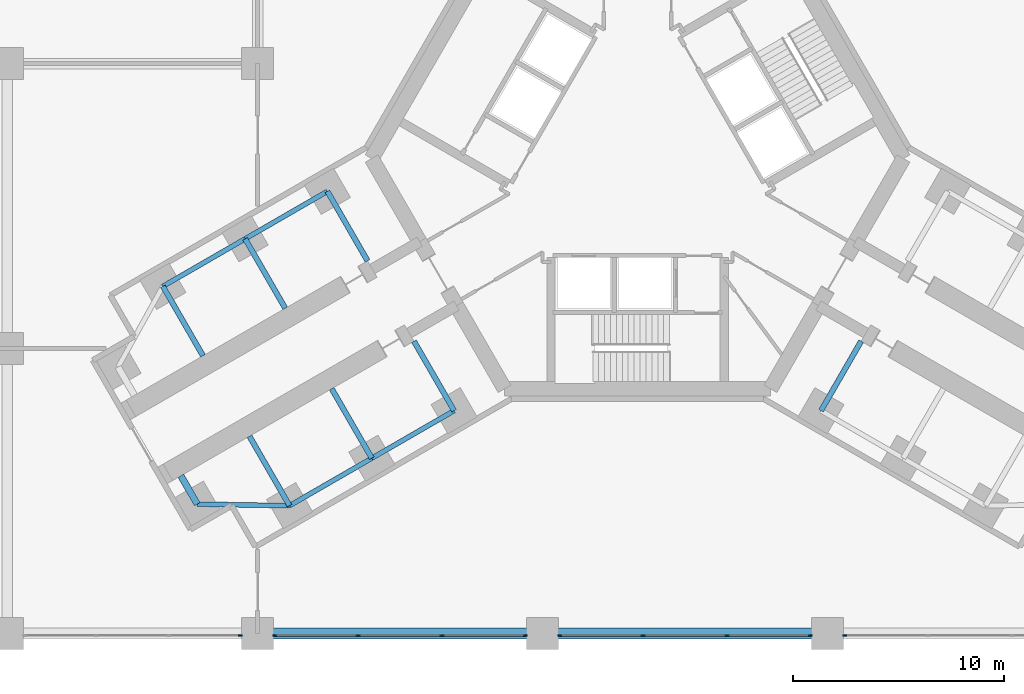
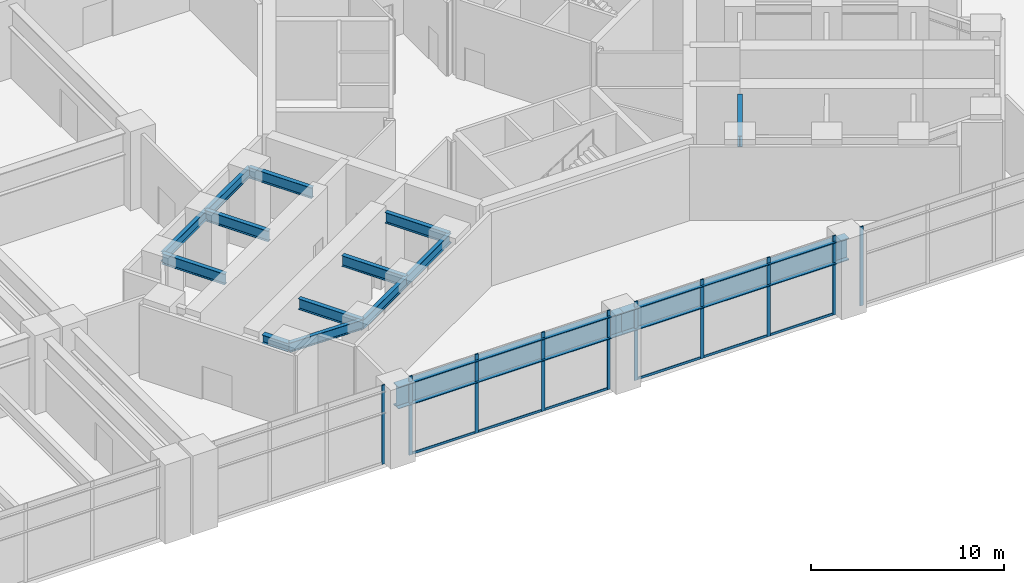
# One storey, part 9 of 32: 16 members, 15 beams, 4 elements without a shape of their own.
"""IFC4 building model written with IfcOpenShell, lengths in metres."""

from ifc_helpers import new_model, si_unit, direction, frame, origin, origin_2d, place, context, subcontext, project, spatial, rectangle, i_section, extrude, material, material_profile, profile_set, type_object, element, aggregate, save


model = new_model("IFC4")

# Units and contexts
model_context = context("Model", 3, precision=1e-05, world=origin(), true_north=direction((0.0, 1.0)))
body_context = subcontext(model_context, "Body", "Model", "MODEL_VIEW")
ifc_project = project(units=[si_unit("LENGTHUNIT", "METRE"), si_unit("AREAUNIT", "SQUARE_METRE"), si_unit("VOLUMEUNIT", "CUBIC_METRE"), si_unit("PLANEANGLEUNIT", "RADIAN"), si_unit("MASSUNIT", "GRAM", prefix="KILO")], contexts=[model_context])

# Site, building, storey
site_placement = place(None, origin())
site = spatial("IfcSite", under=ifc_project, at=site_placement, CompositionType="ELEMENT")
building_placement = place(site_placement, origin())
building = spatial("IfcBuilding", under=site, at=building_placement, Name="Upepo Twin Towers", CompositionType="ELEMENT")
storey_placement = place(building_placement, frame((0.0, 0.0, 5.5)))
storey = spatial("IfcBuildingStorey", under=building, at=storey_placement, Name="L01", CompositionType="ELEMENT", Elevation=5.5)

# Beams
ifc_material_1 = material(Name="Steel S355", Category="steel")
ifc_material_profile_1 = material_profile(ifc_material_1, i_section(OverallWidth=0.5, OverallDepth=1.39990234375, WebThickness=0.02490234375, FlangeThickness=0.050048828125, FilletRadius=0.008056640625, at=origin_2d()), Name="PG 1400x500x25x50")
ifc_profile_set_1 = profile_set([ifc_material_profile_1], Name="Steel S355")
beam_type_1 = type_object("IfcBeamType", Name="Beam PG 1400x500x25x50", PredefinedType="BEAM", material=ifc_profile_set_1)
for number, where, z_axis, x_axis, name in (
    (1, (40.5, -40.5, 3.949951171875), (1.0, 0.0, 0.0), (0.0, 1.0, 0.0), "Podium girder A/6-7"),
    (2, (54.0, -40.5, 3.949951171875), (1.0, 0.0, 0.0), (0.0, 1.0, 0.0), "Podium girder A/7-8"),
):
    element("IfcBeam", number, at=place(storey_placement, frame(where, z_axis=z_axis, x_axis=x_axis)), inside=storey, type_object=beam_type_1, Name=name, PredefinedType="BEAM", context=body_context, shape_type="SweptSolid", body=[
        extrude(i_section(OverallWidth=0.5, OverallDepth=1.39990234375, WebThickness=0.02490234375, FlangeThickness=0.050048828125, FilletRadius=0.008056640625, at=origin_2d()), origin(), (0.0, 0.0, 1.0), 13.5),
    ])
ifc_material_2 = material(Name="Steel S355", Category="steel")
ifc_material_profile_2 = material_profile(ifc_material_2, i_section(OverallWidth=0.31201171875, OverallDepth=0.54345703125, WebThickness=0.0126953125, FlangeThickness=0.020263671875, FilletRadius=0.0126953125, at=origin_2d()), Name="UB 533x312x150")
ifc_profile_set_2 = profile_set([ifc_material_profile_2], Name="Steel S355")
beam_type_2 = type_object("IfcBeamType", Name="Beam UB 533x312x150", PredefinedType="BEAM", material=ifc_profile_set_2)
beam_1_placement = place(storey_placement, frame((37.641845703125, -34.37255859375, 4.378173828125), z_axis=(-0.499967891604, 0.866043940782, 0.0), x_axis=(-0.866043940782, -0.499967891604, 0.0)))
element("IfcBeam", 3, at=beam_1_placement, inside=storey, type_object=beam_type_2, Name="T2 nose beam BL", PredefinedType="BEAM", context=body_context, shape_type="SweptSolid", body=[
    extrude(i_section(OverallWidth=0.31201171875, OverallDepth=0.54345703125, WebThickness=0.0126953125, FlangeThickness=0.020263671875, FilletRadius=0.0126953125, at=origin_2d()), origin(), (0.0, 0.0, 1.0), 1.5498046875),
])
ifc_material_3 = material(Name="Steel S355", Category="steel")
ifc_material_profile_3 = material_profile(ifc_material_3, i_section(OverallWidth=0.228271484375, OverallDepth=0.607666015625, WebThickness=0.010986328125, FlangeThickness=0.017333984375, FilletRadius=0.0126953125, at=origin_2d()), Name="UB 610x229x113")
ifc_profile_set_3 = profile_set([ifc_material_profile_3], Name="Steel S355")
beam_type_3 = type_object("IfcBeamType", Name="Beam UB 610x229x113", PredefinedType="BEAM", material=ifc_profile_set_3)
beam_2_placement = place(storey_placement, frame((49.80859375, -29.946044921875, 4.34619140625), z_axis=(-0.866017533419, -0.500013631625, 0.0), x_axis=(0.500013631625, -0.866017533419, 0.0)))
element("IfcBeam", 4, at=beam_2_placement, inside=storey, type_object=beam_type_3, Name="T2 edge beam BL 13.5-18.0", PredefinedType="BEAM", context=body_context, shape_type="SweptSolid", body=[
    extrude(i_section(OverallWidth=0.228271484375, OverallDepth=0.607666015625, WebThickness=0.010986328125, FlangeThickness=0.017333984375, FilletRadius=0.0126953125, at=origin_2d()), origin(), (0.0, 0.0, 1.0), 4.499755859375),
])
beam_3_placement = place(storey_placement, frame((45.91162109375, -32.196044921875, 4.34619140625), z_axis=(-0.866031096941, -0.499990139034, 0.0), x_axis=(0.499990139034, -0.866031096941, 0.0)))
element("IfcBeam", 5, at=beam_3_placement, inside=storey, type_object=beam_type_3, Name="T2 edge beam BL 18.0-22.5", PredefinedType="BEAM", context=body_context, shape_type="SweptSolid", body=[
    extrude(i_section(OverallWidth=0.228271484375, OverallDepth=0.607666015625, WebThickness=0.010986328125, FlangeThickness=0.017333984375, FilletRadius=0.0126953125, at=origin_2d()), origin(), (0.0, 0.0, 1.0), 4.5),
])
beam_4_placement = place(storey_placement, frame((42.014404296875, -34.446044921875, 4.34619140625), z_axis=(-0.999858804832, 0.016803880528, 0.0), x_axis=(-0.016803880528, -0.999858804832, 0.0)))
element("IfcBeam", 6, at=beam_4_placement, inside=storey, type_object=beam_type_3, Name="T2 nose edge beam BL", PredefinedType="BEAM", context=body_context, shape_type="SweptSolid", body=[
    extrude(i_section(OverallWidth=0.228271484375, OverallDepth=0.607666015625, WebThickness=0.010986328125, FlangeThickness=0.017333984375, FilletRadius=0.0126953125, at=origin_2d()), origin(), (0.0, 0.0, 1.0), 4.373291015625),
])
beam_5_placement = place(storey_placement, frame((43.80859375, -19.553955078125, 4.34619140625), z_axis=(-0.866017533419, -0.500013631625, 0.0), x_axis=(0.500013631625, -0.866017533419, 0.0)))
element("IfcBeam", 7, at=beam_5_placement, inside=storey, type_object=beam_type_3, Name="T2 edge beam BR 13.5-18.0", PredefinedType="BEAM", context=body_context, shape_type="SweptSolid", body=[
    extrude(i_section(OverallWidth=0.228271484375, OverallDepth=0.607666015625, WebThickness=0.010986328125, FlangeThickness=0.017333984375, FilletRadius=0.0126953125, at=origin_2d()), origin(), (0.0, 0.0, 1.0), 4.499755859375),
])
beam_6_placement = place(storey_placement, frame((39.91162109375, -21.803955078125, 4.34619140625), z_axis=(-0.866031096941, -0.499990139034, 0.0), x_axis=(0.499990139034, -0.866031096941, 0.0)))
element("IfcBeam", 8, at=beam_6_placement, inside=storey, type_object=beam_type_3, Name="T2 edge beam BR 18.0-22.5", PredefinedType="BEAM", context=body_context, shape_type="SweptSolid", body=[
    extrude(i_section(OverallWidth=0.228271484375, OverallDepth=0.607666015625, WebThickness=0.010986328125, FlangeThickness=0.017333984375, FilletRadius=0.0126953125, at=origin_2d()), origin(), (0.0, 0.0, 1.0), 4.5),
])
ifc_material_4 = material(Name="Steel S355", Category="steel")
ifc_material_profile_4 = material_profile(ifc_material_4, i_section(OverallWidth=0.253662109375, OverallDepth=0.68359375, WebThickness=0.012451171875, FlangeThickness=0.01904296875, FilletRadius=0.01513671875, at=origin_2d()), Name="UB 686x254x140")
ifc_profile_set_4 = profile_set([ifc_material_profile_4], Name="Steel S355")
beam_type_4 = type_object("IfcBeamType", Name="Beam UB 686x254x140", PredefinedType="BEAM", material=ifc_profile_set_4)
beam_7_placement = place(storey_placement, frame((49.80859375, -29.946044921875, 4.308349609375), z_axis=(-0.499994975061, 0.866028304915, 0.0), x_axis=(-0.866028304915, -0.499994975061, 0.0)))
element("IfcBeam", 9, at=beam_7_placement, inside=storey, type_object=beam_type_4, Name="T2 girder BL at 13.5", PredefinedType="BEAM", context=body_context, shape_type="SweptSolid", body=[
    extrude(i_section(OverallWidth=0.253662109375, OverallDepth=0.68359375, WebThickness=0.012451171875, FlangeThickness=0.01904296875, FilletRadius=0.01513671875, at=origin_2d()), origin(), (0.0, 0.0, 1.0), 3.7998046875),
])
beam_8_placement = place(storey_placement, frame((45.91162109375, -32.196044921875, 4.308349609375), z_axis=(-0.500043160704, 0.866000483506, 0.0), x_axis=(-0.866000483506, -0.500043160704, 0.0)))
element("IfcBeam", 10, at=beam_8_placement, inside=storey, type_object=beam_type_4, Name="T2 girder BL at 18.0", PredefinedType="BEAM", context=body_context, shape_type="SweptSolid", body=[
    extrude(i_section(OverallWidth=0.253662109375, OverallDepth=0.68359375, WebThickness=0.012451171875, FlangeThickness=0.01904296875, FilletRadius=0.01513671875, at=origin_2d()), origin(), (0.0, 0.0, 1.0), 3.800048828125),
])
beam_9_placement = place(storey_placement, frame((42.014404296875, -34.446044921875, 4.308349609375), z_axis=(-0.499994975061, 0.866028304915, 0.0), x_axis=(-0.866028304915, -0.499994975061, 0.0)))
element("IfcBeam", 11, at=beam_9_placement, inside=storey, type_object=beam_type_4, Name="T2 girder BL at 22.5", PredefinedType="BEAM", context=body_context, shape_type="SweptSolid", body=[
    extrude(i_section(OverallWidth=0.253662109375, OverallDepth=0.68359375, WebThickness=0.012451171875, FlangeThickness=0.01904296875, FilletRadius=0.01513671875, at=origin_2d()), origin(), (0.0, 0.0, 1.0), 3.7998046875),
])
beam_10_placement = place(storey_placement, frame((43.80859375, -19.553955078125, 4.308349609375), z_axis=(0.500043160704, -0.866000483506, 0.0), x_axis=(0.866000483506, 0.500043160704, 0.0)))
element("IfcBeam", 12, at=beam_10_placement, inside=storey, type_object=beam_type_4, Name="T2 girder BR at 13.5", PredefinedType="BEAM", context=body_context, shape_type="SweptSolid", body=[
    extrude(i_section(OverallWidth=0.253662109375, OverallDepth=0.68359375, WebThickness=0.012451171875, FlangeThickness=0.01904296875, FilletRadius=0.01513671875, at=origin_2d()), origin(), (0.0, 0.0, 1.0), 3.800048828125),
])
for number, where, z_axis, x_axis, name in (
    (13, (39.91162109375, -21.803955078125, 4.308349609375), (0.499994975061, -0.866028304915, 0.0), (0.866028304915, 0.499994975061, 0.0), "T2 girder BR at 18.0"),
    (14, (36.014404296875, -24.053955078125, 4.308349609375), (0.499994975061, -0.866028304915, 0.0), (0.866028304915, 0.499994975061, 0.0), "T2 girder BR at 22.5"),
    (15, (67.19140625, -29.946044921875, 4.308349609375), (0.499994975061, 0.866028304915, 0.0), (-0.866028304915, 0.499994975061, 0.0), "T2 girder CR at 13.5"),
):
    element("IfcBeam", number, at=place(storey_placement, frame(where, z_axis=z_axis, x_axis=x_axis)), inside=storey, type_object=beam_type_4, Name=name, PredefinedType="BEAM", context=body_context, shape_type="SweptSolid", body=[
        extrude(i_section(OverallWidth=0.253662109375, OverallDepth=0.68359375, WebThickness=0.012451171875, FlangeThickness=0.01904296875, FilletRadius=0.01513671875, at=origin_2d()), origin(), (0.0, 0.0, 1.0), 3.7998046875),
    ])

# Curtain wall, member
ifc_material_5 = material(Name="Aluminium and clear glass", Category="aluminium")
curtain_wall_type = type_object("IfcCurtainWallType", Name="Podium curtain wall PW1", PredefinedType="NOTDEFINED", material=ifc_material_5)
curtain_wall_1_placement = place(storey_placement, origin())
curtain_wall_1 = element("IfcCurtainWall", 16, at=curtain_wall_1_placement, inside=storey, type_object=curtain_wall_type, Name="Podium L01 curtain wall S5", PredefinedType="NOTDEFINED")
ifc_material_6 = material(Name="Aluminium mullion", Category="aluminium")
ifc_material_profile_5 = material_profile(ifc_material_6, rectangle(XDim=0.06494140625, YDim=0.199951171875, at=origin_2d()), Name="MULLION 65x200 PODIUM")
ifc_profile_set_5 = profile_set([ifc_material_profile_5], Name="Aluminium mullion")
member_type_1 = type_object("IfcMemberType", Name="Mullion 65x200 PW1", PredefinedType="MULLION", material=ifc_profile_set_5)
member_1_placement = place(storey_placement, frame((39.6826171875, -40.60009765625, 0.0), z_axis=(0.0, 0.0, 1.0), x_axis=(0.0, 1.0, 0.0)))
member_1 = element("IfcMember", 17, at=member_1_placement, type_object=member_type_1, Name="Podium L01 curtain wall S5 mullion 4", PredefinedType="MULLION", context=body_context, shape_type="SweptSolid", body=[
    extrude(rectangle(XDim=0.06494140625, YDim=0.199951171875, at=origin_2d()), origin(), (0.0, 0.0, 1.0), 5.0),
])
aggregate(curtain_wall_1, [member_1])

# Curtain wall, members
curtain_wall_2_placement = place(storey_placement, origin())
curtain_wall_2 = element("IfcCurtainWall", 18, at=curtain_wall_2_placement, inside=storey, type_object=curtain_wall_type, Name="Podium L01 curtain wall S6", PredefinedType="NOTDEFINED")
member_2_placement = place(storey_placement, frame((41.3173828125, -40.60009765625, 0.0), z_axis=(0.0, 0.0, 1.0), x_axis=(0.0, 1.0, 0.0)))
member_2 = element("IfcMember", 19, at=member_2_placement, type_object=member_type_1, Name="Podium L01 curtain wall S6 mullion 1", PredefinedType="MULLION", context=body_context, shape_type="SweptSolid", body=[
    extrude(rectangle(XDim=0.06494140625, YDim=0.199951171875, at=origin_2d()), origin(), (0.0, 0.0, 1.0), 5.0),
])
member_3_placement = place(storey_placement, frame((45.26171875, -40.60009765625, 0.0), z_axis=(0.0, 0.0, 1.0), x_axis=(0.0, 1.0, 0.0)))
member_3 = element("IfcMember", 20, at=member_3_placement, type_object=member_type_1, Name="Podium L01 curtain wall S6 mullion 2", PredefinedType="MULLION", context=body_context, shape_type="SweptSolid", body=[
    extrude(rectangle(XDim=0.06494140625, YDim=0.199951171875, at=origin_2d()), origin(), (0.0, 0.0, 1.0), 5.0),
])
member_4_placement = place(storey_placement, frame((49.23828125, -40.60009765625, 0.0), z_axis=(0.0, 0.0, 1.0), x_axis=(0.0, 1.0, 0.0)))
member_4 = element("IfcMember", 21, at=member_4_placement, type_object=member_type_1, Name="Podium L01 curtain wall S6 mullion 3", PredefinedType="MULLION", context=body_context, shape_type="SweptSolid", body=[
    extrude(rectangle(XDim=0.06494140625, YDim=0.199951171875, at=origin_2d()), origin(), (0.0, 0.0, 1.0), 5.0),
])
member_5_placement = place(storey_placement, frame((53.1826171875, -40.60009765625, 0.0), z_axis=(0.0, 0.0, 1.0), x_axis=(0.0, 1.0, 0.0)))
member_5 = element("IfcMember", 22, at=member_5_placement, type_object=member_type_1, Name="Podium L01 curtain wall S6 mullion 4", PredefinedType="MULLION", context=body_context, shape_type="SweptSolid", body=[
    extrude(rectangle(XDim=0.06494140625, YDim=0.199951171875, at=origin_2d()), origin(), (0.0, 0.0, 1.0), 5.0),
])

curtain_wall_3_placement = place(storey_placement, origin())
curtain_wall_3 = element("IfcCurtainWall", 23, at=curtain_wall_3_placement, inside=storey, type_object=curtain_wall_type, Name="Podium L01 curtain wall S7", PredefinedType="NOTDEFINED")
member_6_placement = place(storey_placement, frame((54.8173828125, -40.60009765625, 0.0), z_axis=(0.0, 0.0, 1.0), x_axis=(0.0, 1.0, 0.0)))
member_6 = element("IfcMember", 24, at=member_6_placement, type_object=member_type_1, Name="Podium L01 curtain wall S7 mullion 1", PredefinedType="MULLION", context=body_context, shape_type="SweptSolid", body=[
    extrude(rectangle(XDim=0.06494140625, YDim=0.199951171875, at=origin_2d()), origin(), (0.0, 0.0, 1.0), 5.0),
])
member_7_placement = place(storey_placement, frame((58.76171875, -40.60009765625, 0.0), z_axis=(0.0, 0.0, 1.0), x_axis=(0.0, 1.0, 0.0)))
member_7 = element("IfcMember", 25, at=member_7_placement, type_object=member_type_1, Name="Podium L01 curtain wall S7 mullion 2", PredefinedType="MULLION", context=body_context, shape_type="SweptSolid", body=[
    extrude(rectangle(XDim=0.06494140625, YDim=0.199951171875, at=origin_2d()), origin(), (0.0, 0.0, 1.0), 5.0),
])
member_8_placement = place(storey_placement, frame((62.73828125, -40.60009765625, 0.0), z_axis=(0.0, 0.0, 1.0), x_axis=(0.0, 1.0, 0.0)))
member_8 = element("IfcMember", 26, at=member_8_placement, type_object=member_type_1, Name="Podium L01 curtain wall S7 mullion 3", PredefinedType="MULLION", context=body_context, shape_type="SweptSolid", body=[
    extrude(rectangle(XDim=0.06494140625, YDim=0.199951171875, at=origin_2d()), origin(), (0.0, 0.0, 1.0), 5.0),
])
member_9_placement = place(storey_placement, frame((66.6826171875, -40.60009765625, 0.0), z_axis=(0.0, 0.0, 1.0), x_axis=(0.0, 1.0, 0.0)))
member_9 = element("IfcMember", 27, at=member_9_placement, type_object=member_type_1, Name="Podium L01 curtain wall S7 mullion 4", PredefinedType="MULLION", context=body_context, shape_type="SweptSolid", body=[
    extrude(rectangle(XDim=0.06494140625, YDim=0.199951171875, at=origin_2d()), origin(), (0.0, 0.0, 1.0), 5.0),
])

# Curtain wall, member
curtain_wall_4_placement = place(storey_placement, origin())
curtain_wall_4 = element("IfcCurtainWall", 28, at=curtain_wall_4_placement, inside=storey, type_object=curtain_wall_type, Name="Podium L01 curtain wall S8", PredefinedType="NOTDEFINED")
member_10_placement = place(storey_placement, frame((68.3173828125, -40.60009765625, 0.0), z_axis=(0.0, 0.0, 1.0), x_axis=(0.0, 1.0, 0.0)))
member_10 = element("IfcMember", 29, at=member_10_placement, type_object=member_type_1, Name="Podium L01 curtain wall S8 mullion 1", PredefinedType="MULLION", context=body_context, shape_type="SweptSolid", body=[
    extrude(rectangle(XDim=0.06494140625, YDim=0.199951171875, at=origin_2d()), origin(), (0.0, 0.0, 1.0), 5.0),
])
aggregate(curtain_wall_4, [member_10])

# Member
ifc_material_7 = material(Name="Aluminium transom", Category="aluminium")
ifc_material_profile_6 = material_profile(ifc_material_7, rectangle(XDim=0.06494140625, YDim=0.14990234375, at=origin_2d()), Name="TRANSOM 65x150 PODIUM")
ifc_profile_set_6 = profile_set([ifc_material_profile_6], Name="Aluminium transom")
member_type_2 = type_object("IfcMemberType", Name="Transom 65x150 PW1", PredefinedType="USERDEFINED", material=ifc_profile_set_6)
member_11_placement = place(storey_placement, frame((41.35009765625, -40.60009765625, 0.074951171875), z_axis=(1.0, 0.0, 0.0), x_axis=(0.0, 1.0, 0.0)))
member_11 = element("IfcMember", 30, at=member_11_placement, type_object=member_type_2, Name="Podium L01 curtain wall S6 transom 1", ObjectType="TRANSOM", PredefinedType="USERDEFINED", context=body_context, shape_type="SweptSolid", body=[
    extrude(rectangle(XDim=0.06494140625, YDim=0.14990234375, at=origin_2d()), origin(), (0.0, 0.0, 1.0), 3.879150390625),
])

member_12_placement = place(storey_placement, frame((45.294189453125, -40.60009765625, 0.074951171875), z_axis=(1.0, 0.0, 0.0), x_axis=(0.0, 1.0, 0.0)))
member_12 = element("IfcMember", 31, at=member_12_placement, type_object=member_type_2, Name="Podium L01 curtain wall S6 transom 2", ObjectType="TRANSOM", PredefinedType="USERDEFINED", context=body_context, shape_type="SweptSolid", body=[
    extrude(rectangle(XDim=0.06494140625, YDim=0.14990234375, at=origin_2d()), origin(), (0.0, 0.0, 1.0), 3.91162109375),
])

member_13_placement = place(storey_placement, frame((49.270751953125, -40.60009765625, 0.074951171875), z_axis=(1.0, 0.0, 0.0), x_axis=(0.0, 1.0, 0.0)))
member_13 = element("IfcMember", 32, at=member_13_placement, type_object=member_type_2, Name="Podium L01 curtain wall S6 transom 3", ObjectType="TRANSOM", PredefinedType="USERDEFINED", context=body_context, shape_type="SweptSolid", body=[
    extrude(rectangle(XDim=0.06494140625, YDim=0.14990234375, at=origin_2d()), origin(), (0.0, 0.0, 1.0), 3.879150390625),
])

aggregate(curtain_wall_2, [member_2, member_3, member_4, member_5, member_11, member_12, member_13])

member_14_placement = place(storey_placement, frame((54.85009765625, -40.60009765625, 0.074951171875), z_axis=(1.0, 0.0, 0.0), x_axis=(0.0, 1.0, 0.0)))
member_14 = element("IfcMember", 33, at=member_14_placement, type_object=member_type_2, Name="Podium L01 curtain wall S7 transom 1", ObjectType="TRANSOM", PredefinedType="USERDEFINED", context=body_context, shape_type="SweptSolid", body=[
    extrude(rectangle(XDim=0.06494140625, YDim=0.14990234375, at=origin_2d()), origin(), (0.0, 0.0, 1.0), 3.879150390625),
])

member_15_placement = place(storey_placement, frame((58.794189453125, -40.60009765625, 0.074951171875), z_axis=(1.0, 0.0, 0.0), x_axis=(0.0, 1.0, 0.0)))
member_15 = element("IfcMember", 34, at=member_15_placement, type_object=member_type_2, Name="Podium L01 curtain wall S7 transom 2", ObjectType="TRANSOM", PredefinedType="USERDEFINED", context=body_context, shape_type="SweptSolid", body=[
    extrude(rectangle(XDim=0.06494140625, YDim=0.14990234375, at=origin_2d()), origin(), (0.0, 0.0, 1.0), 3.91162109375),
])

member_16_placement = place(storey_placement, frame((62.770751953125, -40.60009765625, 0.074951171875), z_axis=(1.0, 0.0, 0.0), x_axis=(0.0, 1.0, 0.0)))
member_16 = element("IfcMember", 35, at=member_16_placement, type_object=member_type_2, Name="Podium L01 curtain wall S7 transom 3", ObjectType="TRANSOM", PredefinedType="USERDEFINED", context=body_context, shape_type="SweptSolid", body=[
    extrude(rectangle(XDim=0.06494140625, YDim=0.14990234375, at=origin_2d()), origin(), (0.0, 0.0, 1.0), 3.879150390625),
])

aggregate(curtain_wall_3, [member_6, member_7, member_8, member_9, member_14, member_15, member_16])

save(model, "model.ifc")
